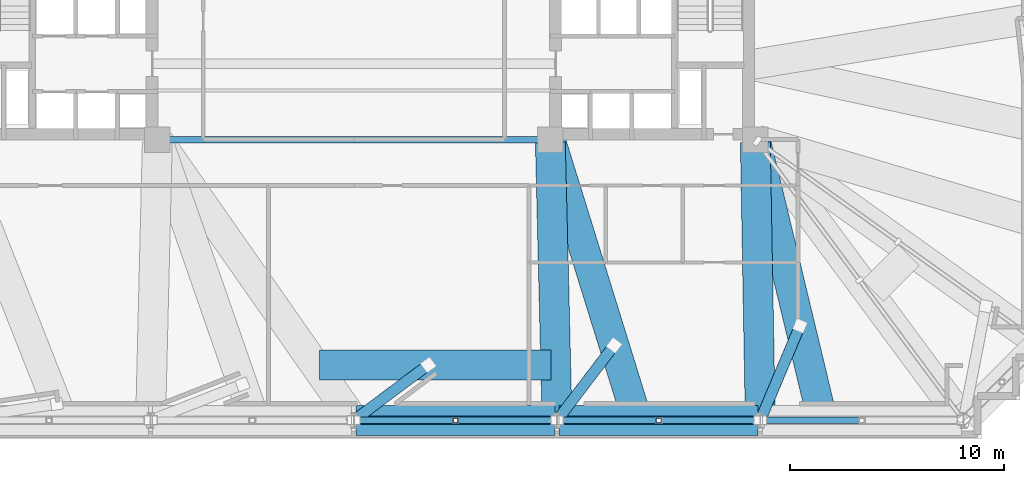
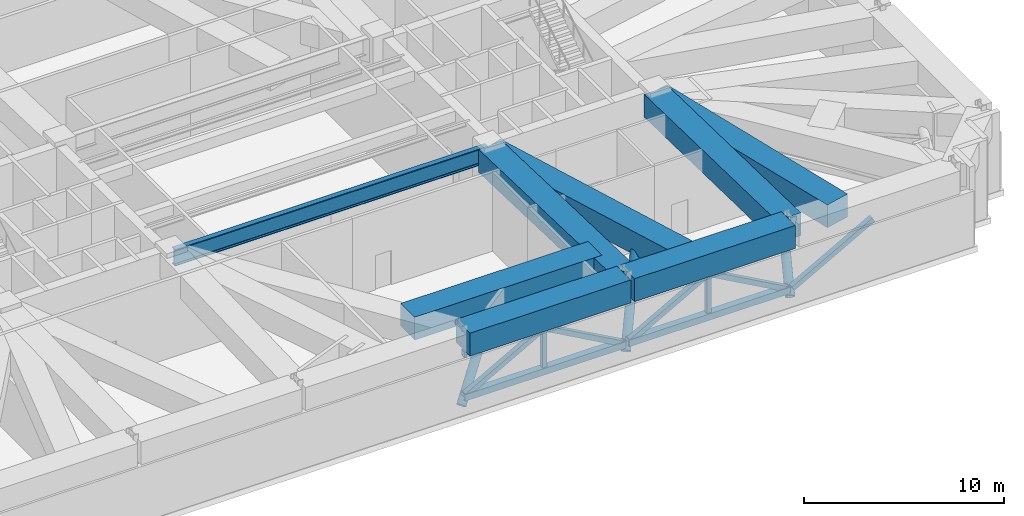
# One storey, part 6 of 20: 14 members, 8 beams.
"""IFC4 building model written with IfcOpenShell, lengths in metres."""

from ifc_helpers import new_model, si_unit, direction, frame, origin, origin_2d, place, context, subcontext, project, spatial, rectangle, hollow_rectangle, hollow_circle, i_section, extrude, material, material_profile, profile_set, type_object, element, save


model = new_model("IFC4")

# Units and contexts
model_context = context("Model", 3, precision=1e-05, world=origin(), true_north=direction((0.0, 1.0)))
body_context = subcontext(model_context, "Body", "Model", "MODEL_VIEW")
ifc_project = project(units=[si_unit("LENGTHUNIT", "METRE"), si_unit("AREAUNIT", "SQUARE_METRE"), si_unit("VOLUMEUNIT", "CUBIC_METRE"), si_unit("PLANEANGLEUNIT", "RADIAN"), si_unit("MASSUNIT", "GRAM", prefix="KILO")], contexts=[model_context])

# Site, building, storey
site_placement = place(None, origin())
site = spatial("IfcSite", under=ifc_project, at=site_placement, CompositionType="ELEMENT")
building_placement = place(site_placement, origin())
building = spatial("IfcBuilding", under=site, at=building_placement, Name="Qobustan Lattice House", CompositionType="ELEMENT")
storey_placement = place(building_placement, frame((0.0, 0.0, 73.89990234375)))
storey = spatial("IfcBuildingStorey", under=building, at=storey_placement, Name="L20", CompositionType="ELEMENT", Elevation=73.89990234375)

# Beams
ifc_material_1 = material(Name="Steel S355", Category="steel")
ifc_material_profile_1 = material_profile(ifc_material_1, i_section(OverallWidth=0.302001953125, OverallDepth=1.008056640625, WebThickness=0.02099609375, FlangeThickness=0.0400390625, FilletRadius=0.030029296875, at=origin_2d()), Name="HEM1000")
ifc_profile_set_1 = profile_set([ifc_material_profile_1], Name="Steel S355")
beam_type_1 = type_object("IfcBeamType", Name="BM-TRG-HEM1000", PredefinedType="USERDEFINED", material=ifc_profile_set_1)
beam_1_placement = place(storey_placement, frame((-9.050048828125, -5.60009765625, 4.316162109375), z_axis=(1.0, 0.0, 0.0), x_axis=(0.0, 1.0, 0.0)))
element("IfcBeam", 1, at=beam_1_placement, inside=storey, type_object=beam_type_1, Name="L20 core spine girder CG-CS", ObjectType="GIRDER", PredefinedType="USERDEFINED", context=body_context, shape_type="SweptSolid", body=[
    extrude(i_section(OverallWidth=0.302001953125, OverallDepth=1.008056640625, WebThickness=0.02099609375, FlangeThickness=0.0400390625, FilletRadius=0.030029296875, at=origin_2d()), origin(), (0.0, 0.0, 1.0), 18.10009765625),
])
ifc_material_2 = material(Name="Concrete C60/75", Category="concrete")
ifc_material_profile_2 = material_profile(ifc_material_2, rectangle(XDim=1.39990234375, YDim=1.39990234375, at=origin_2d()), Name="RC1400x1400")
ifc_profile_set_2 = profile_set([ifc_material_profile_2], Name="Concrete C60/75")
beam_type_2 = type_object("IfcBeamType", Name="BM-TRG-RC1400", PredefinedType="USERDEFINED", material=ifc_profile_set_2)
for number, where, z_axis, x_axis, name in (
    (2, (0.10009765625, -18.75, 4.1201171875), (1.0, 0.0, 0.0), (0.0, 1.0, 0.0), "L20 TT1 lower perimeter transfer girder S4-S5"),
    (3, (9.61669921875, -18.75, 4.1201171875), (1.0, 0.0, 0.0), (0.0, 1.0, 0.0), "L20 TT1 lower perimeter transfer girder S5-S6"),
):
    element("IfcBeam", number, at=place(storey_placement, frame(where, z_axis=z_axis, x_axis=x_axis)), inside=storey, type_object=beam_type_2, Name=name, ObjectType="GIRDER", PredefinedType="USERDEFINED", context=body_context, shape_type="SweptSolid", body=[
        extrude(rectangle(XDim=1.39990234375, YDim=1.39990234375, at=origin_2d()), origin(), (0.0, 0.0, 1.0), 9.316650390625),
    ])
beam_2_placement = place(storey_placement, frame((9.202880859375, -5.719970703125, 4.1201171875), z_axis=(0.024085750634, -0.999709896228, 0.0), x_axis=(0.999709896228, 0.024085750634, 0.0)))
element("IfcBeam", 4, at=beam_2_placement, inside=storey, type_object=beam_type_2, Name="L20 TT1 radial transfer girder S5", ObjectType="GIRDER", PredefinedType="USERDEFINED", context=body_context, shape_type="SweptSolid", body=[
    extrude(rectangle(XDim=1.39990234375, YDim=1.39990234375, at=origin_2d()), origin(), (0.0, 0.0, 1.0), 12.91357421875),
])
beam_3_placement = place(storey_placement, frame((18.802001953125, -5.719970703125, 4.1201171875), z_axis=(0.017754722816, -0.999842372486, 0.0), x_axis=(0.999842372486, 0.017754722816, 0.0)))
element("IfcBeam", 5, at=beam_3_placement, inside=storey, type_object=beam_type_2, Name="L20 TT1 radial transfer girder S6", ObjectType="GIRDER", PredefinedType="USERDEFINED", context=body_context, shape_type="SweptSolid", body=[
    extrude(rectangle(XDim=1.39990234375, YDim=1.39990234375, at=origin_2d()), origin(), (0.0, 0.0, 1.0), 12.911865234375),
])
beam_4_placement = place(storey_placement, frame((-1.598388671875, -16.151123046875, 4.1201171875), z_axis=(1.0, 0.0, 0.0), x_axis=(0.0, 1.0, 0.0)))
element("IfcBeam", 6, at=beam_4_placement, inside=storey, type_object=beam_type_2, Name="L20 TT1 primary column transfer girder S4", ObjectType="GIRDER", PredefinedType="USERDEFINED", context=body_context, shape_type="SweptSolid", body=[
    extrude(rectangle(XDim=1.39990234375, YDim=1.39990234375, at=origin_2d()), origin(), (0.0, 0.0, 1.0), 10.83251953125),
])
beam_5_placement = place(storey_placement, frame((9.235595703125, -5.714599609375, 4.1201171875), z_axis=(0.296232795497, -0.955115768309, 0.0), x_axis=(0.955115768309, 0.296232795497, 0.0)))
element("IfcBeam", 7, at=beam_5_placement, inside=storey, type_object=beam_type_2, Name="L20 TT1 primary column transfer girder S5", ObjectType="GIRDER", PredefinedType="USERDEFINED", context=body_context, shape_type="SweptSolid", body=[
    extrude(rectangle(XDim=1.39990234375, YDim=1.39990234375, at=origin_2d()), origin(), (0.0, 0.0, 1.0), 13.427978515625),
])
beam_6_placement = place(storey_placement, frame((18.827880859375, -5.716796875, 4.1201171875), z_axis=(0.233129187799, -0.972445773191, 0.0), x_axis=(0.972445773191, 0.233129187799, 0.0)))
element("IfcBeam", 8, at=beam_6_placement, inside=storey, type_object=beam_type_2, Name="L20 TT1 primary column transfer girder S6", ObjectType="GIRDER", PredefinedType="USERDEFINED", context=body_context, shape_type="SweptSolid", body=[
    extrude(rectangle(XDim=1.39990234375, YDim=1.39990234375, at=origin_2d()), origin(), (0.0, 0.0, 1.0), 13.1826171875),
])

# Members
ifc_material_3 = material(Name="Steel S355", Category="steel")
ifc_material_profile_3 = material_profile(ifc_material_3, hollow_rectangle(XDim=0.300048828125, YDim=0.300048828125, WallThickness=0.01611328125, at=origin_2d()), Name="SHS300x300x16")
ifc_profile_set_3 = profile_set([ifc_material_profile_3], Name="Steel S355")
member_type_1 = type_object("IfcMemberType", Name="MEM-BRC-SHS300", PredefinedType="BRACE", material=ifc_profile_set_3)
member_1_placement = place(storey_placement, frame((0.10009765625, -18.75, 0.550048828125), z_axis=(0.873982205121, 0.0, 0.485957925269), x_axis=(0.0, 1.0, 0.0)))
element("IfcMember", 9, at=member_1_placement, inside=storey, type_object=member_type_1, Name="L20 TT1 belt truss web diagonal S4-S5 A", PredefinedType="BRACE", context=body_context, shape_type="SweptSolid", body=[
    extrude(hollow_rectangle(XDim=0.300048828125, YDim=0.300048828125, WallThickness=0.01611328125, at=origin_2d()), origin(), (0.0, 0.0, 1.0), 5.329833984375),
])
member_2_placement = place(storey_placement, frame((4.75830078125, -18.75, 3.14013671875), z_axis=(0.873993021838, 0.0, -0.485938471185), x_axis=(0.0, 1.0, 0.0)))
element("IfcMember", 10, at=member_2_placement, inside=storey, type_object=member_type_1, Name="L20 TT1 belt truss web diagonal S4-S5 B", PredefinedType="BRACE", context=body_context, shape_type="SweptSolid", body=[
    extrude(hollow_rectangle(XDim=0.300048828125, YDim=0.300048828125, WallThickness=0.01611328125, at=origin_2d()), origin(), (0.0, 0.0, 1.0), 5.330078125),
])
member_3_placement = place(storey_placement, frame((9.61669921875, -18.75, 0.550048828125), z_axis=(0.873982205121, 0.0, 0.485957925269), x_axis=(0.0, 1.0, 0.0)))
element("IfcMember", 11, at=member_3_placement, inside=storey, type_object=member_type_1, Name="L20 TT1 belt truss web diagonal S5-S6 A", PredefinedType="BRACE", context=body_context, shape_type="SweptSolid", body=[
    extrude(hollow_rectangle(XDim=0.300048828125, YDim=0.300048828125, WallThickness=0.01611328125, at=origin_2d()), origin(), (0.0, 0.0, 1.0), 5.329833984375),
])
member_4_placement = place(storey_placement, frame((14.27490234375, -18.75, 3.14013671875), z_axis=(0.873993021838, 0.0, -0.485938471185), x_axis=(0.0, 1.0, 0.0)))
element("IfcMember", 12, at=member_4_placement, inside=storey, type_object=member_type_1, Name="L20 TT1 belt truss web diagonal S5-S6 B", PredefinedType="BRACE", context=body_context, shape_type="SweptSolid", body=[
    extrude(hollow_rectangle(XDim=0.300048828125, YDim=0.300048828125, WallThickness=0.01611328125, at=origin_2d()), origin(), (0.0, 0.0, 1.0), 5.330078125),
])
member_5_placement = place(storey_placement, frame((19.13330078125, -18.75, 0.550048828125), z_axis=(0.873982205121, 0.0, 0.485957925269), x_axis=(0.0, 1.0, 0.0)))
element("IfcMember", 13, at=member_5_placement, inside=storey, type_object=member_type_1, Name="L20 TT1 belt truss web diagonal S6-S7 A", PredefinedType="BRACE", context=body_context, shape_type="SweptSolid", body=[
    extrude(hollow_rectangle(XDim=0.300048828125, YDim=0.300048828125, WallThickness=0.01611328125, at=origin_2d()), origin(), (0.0, 0.0, 1.0), 5.329833984375),
])
ifc_material_4 = material(Name="Steel S355", Category="steel")
ifc_material_profile_4 = material_profile(ifc_material_4, hollow_rectangle(XDim=0.35009765625, YDim=0.35009765625, WallThickness=0.01611328125, at=origin_2d()), Name="SHS350x350x16")
ifc_profile_set_4 = profile_set([ifc_material_profile_4], Name="Steel S355")
member_type_2 = type_object("IfcMemberType", Name="MEM-CHD-SHS350", PredefinedType="CHORD", material=ifc_profile_set_4)
for number, where, z_axis, x_axis, name in (
    (14, (0.10009765625, -18.75, 3.14013671875), (1.0, 0.0, 0.0), (0.0, 1.0, 0.0), "L20 TT1 belt truss top chord S4-S5"),
    (15, (9.61669921875, -18.75, 3.14013671875), (1.0, 0.0, 0.0), (0.0, 1.0, 0.0), "L20 TT1 belt truss top chord S5-S6"),
):
    element("IfcMember", number, at=place(storey_placement, frame(where, z_axis=z_axis, x_axis=x_axis)), inside=storey, type_object=member_type_2, Name=name, PredefinedType="CHORD", context=body_context, shape_type="SweptSolid", body=[
        extrude(hollow_rectangle(XDim=0.35009765625, YDim=0.35009765625, WallThickness=0.01611328125, at=origin_2d()), origin(), (0.0, 0.0, 1.0), 9.316650390625),
    ])
ifc_material_5 = material(Name="Steel S355", Category="steel")
ifc_material_profile_5 = material_profile(ifc_material_5, hollow_rectangle(XDim=0.39990234375, YDim=0.39990234375, WallThickness=0.02001953125, at=origin_2d()), Name="SHS400x400x20")
ifc_profile_set_5 = profile_set([ifc_material_profile_5], Name="Steel S355")
member_type_3 = type_object("IfcMemberType", Name="MEM-CHD-SHS400", PredefinedType="CHORD", material=ifc_profile_set_5)
for number, where, z_axis, x_axis, name in (
    (16, (0.10009765625, -18.75, 0.550048828125), (1.0, 0.0, 0.0), (0.0, 1.0, 0.0), "L20 TT1 belt truss bottom chord S4-S5"),
    (17, (9.61669921875, -18.75, 0.550048828125), (1.0, 0.0, 0.0), (0.0, 1.0, 0.0), "L20 TT1 belt truss bottom chord S5-S6"),
):
    element("IfcMember", number, at=place(storey_placement, frame(where, z_axis=z_axis, x_axis=x_axis)), inside=storey, type_object=member_type_3, Name=name, PredefinedType="CHORD", context=body_context, shape_type="SweptSolid", body=[
        extrude(hollow_rectangle(XDim=0.39990234375, YDim=0.39990234375, WallThickness=0.02001953125, at=origin_2d()), origin(), (0.0, 0.0, 1.0), 9.316650390625),
    ])
ifc_material_6 = material(Name="Steel S355", Category="steel")
ifc_material_profile_6 = material_profile(ifc_material_6, hollow_rectangle(XDim=0.25, YDim=0.25, WallThickness=0.012451171875, at=origin_2d()), Name="SHS250x250x12.5")
ifc_profile_set_6 = profile_set([ifc_material_profile_6], Name="Steel S355")
member_type_4 = type_object("IfcMemberType", Name="MEM-PST-SHS250", PredefinedType="POST", material=ifc_profile_set_6)
for number, where, z_axis, x_axis, name in (
    (18, (4.75830078125, -18.75, 0.550048828125), (0.0, 0.0, 1.0), (1.0, 0.0, 0.0), "L20 TT1 belt truss vertical post S4-S5"),
    (19, (14.27490234375, -18.75, 0.550048828125), (0.0, 0.0, 1.0), (1.0, 0.0, 0.0), "L20 TT1 belt truss vertical post S5-S6"),
):
    element("IfcMember", number, at=place(storey_placement, frame(where, z_axis=z_axis, x_axis=x_axis)), inside=storey, type_object=member_type_4, Name=name, PredefinedType="POST", context=body_context, shape_type="SweptSolid", body=[
        extrude(hollow_rectangle(XDim=0.25, YDim=0.25, WallThickness=0.012451171875, at=origin_2d()), origin(), (0.0, 0.0, 1.0), 2.590087890625),
    ])
ifc_material_7 = material(Name="Steel S355", Category="steel")
ifc_material_profile_7 = material_profile(ifc_material_7, hollow_circle(Radius=0.25390625, WallThickness=0.02001953125, at=origin_2d()), Name="CHS508x20")
ifc_profile_set_7 = profile_set([ifc_material_profile_7], Name="Steel S355")
member_type_5 = type_object("IfcMemberType", Name="MEM-STR-CHS508", PredefinedType="STRUT", material=ifc_profile_set_7)
member_6_placement = place(storey_placement, frame((0.0, -18.75, 0.01513671875), z_axis=(0.583059166223, 0.434579528389, 0.686427448598), x_axis=(-0.597608014731, 0.80178841394, 0.0)))
element("IfcMember", 20, at=member_6_placement, inside=storey, type_object=member_type_5, Name="L20 TT1 column transfer strut S4", PredefinedType="STRUT", context=body_context, shape_type="SweptSolid", body=[
    extrude(hollow_circle(Radius=0.25390625, WallThickness=0.02001953125, at=origin_2d()), origin(), (0.0, 0.0, 1.0), 5.980224609375),
])
member_7_placement = place(storey_placement, frame((9.5166015625, -18.75, 0.01513671875), z_axis=(0.443293826403, 0.582863540956, 0.680999762187), x_axis=(-0.795953251052, 0.605358094139, 0.0)))
element("IfcMember", 21, at=member_7_placement, inside=storey, type_object=member_type_5, Name="L20 TT1 column transfer strut S5", PredefinedType="STRUT", context=body_context, shape_type="SweptSolid", body=[
    extrude(hollow_circle(Radius=0.25390625, WallThickness=0.02001953125, at=origin_2d()), origin(), (0.0, 0.0, 1.0), 6.02783203125),
])
member_8_placement = place(storey_placement, frame((19.033203125, -18.75, 0.01513671875), z_axis=(0.294058273204, 0.700924550021, 0.649795742628), x_axis=(-0.922137049742, 0.386863362821, 0.0)))
element("IfcMember", 22, at=member_8_placement, inside=storey, type_object=member_type_5, Name="L20 TT1 column transfer strut S6", PredefinedType="STRUT", context=body_context, shape_type="SweptSolid", body=[
    extrude(hollow_circle(Radius=0.25390625, WallThickness=0.02001953125, at=origin_2d()), origin(), (0.0, 0.0, 1.0), 6.3173828125),
])

save(model, "model.ifc")
